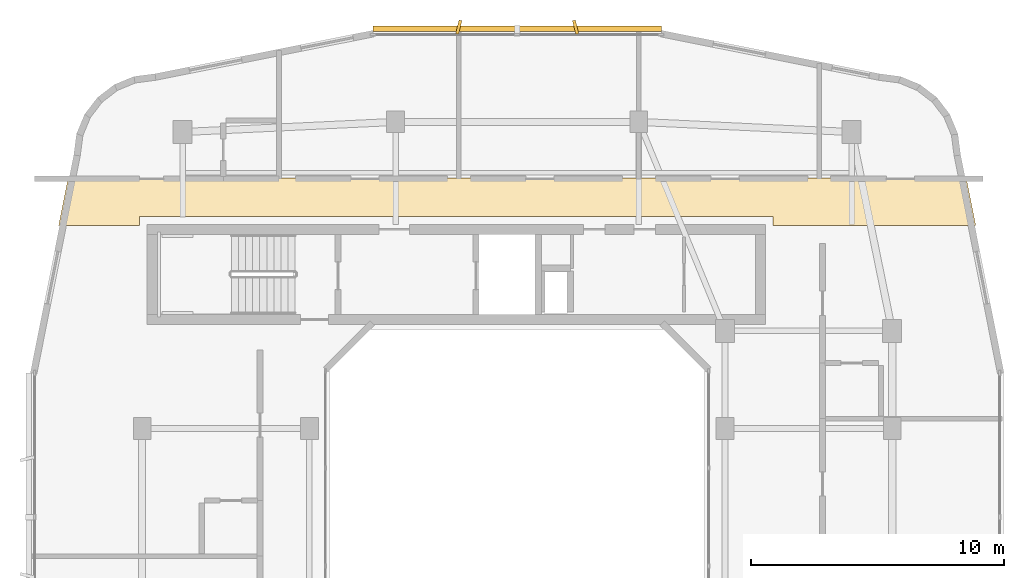
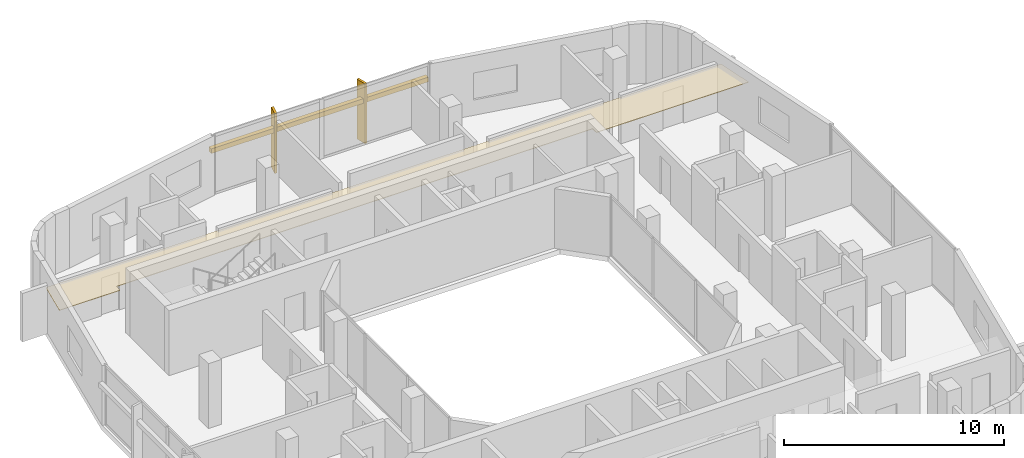
# One storey, part 14 of 14: 3 shading devices, 1 covering.
"""IFC4 building model written with IfcOpenShell, lengths in metres."""

from ifc_helpers import new_model, si_unit, derived_unit, direction, frame, origin, origin_2d, place, context, subcontext, project, spatial, polyline, rectangle, outline, extrude, material, layer, layer_set, type_object, element, save


model = new_model("IFC4")

# Units and contexts
model_context = context("Model", 3, precision=1e-05, world=origin(), true_north=direction((0.0, 1.0)))
body_context = subcontext(model_context, "Body", "Model", "MODEL_VIEW")
ifc_project = project(units=[si_unit("LENGTHUNIT", "METRE"), si_unit("AREAUNIT", "SQUARE_METRE"), si_unit("VOLUMEUNIT", "CUBIC_METRE"), si_unit("PLANEANGLEUNIT", "RADIAN"), si_unit("MASSUNIT", "GRAM", prefix="KILO"), derived_unit("THERMALTRANSMITTANCEUNIT", [(si_unit("POWERUNIT", "WATT"), 1), (si_unit("LENGTHUNIT", "METRE"), -2), (si_unit("THERMODYNAMICTEMPERATUREUNIT", "KELVIN"), -1)])], contexts=[model_context])

# Site, building, storey
site_placement = place(None, origin())
site = spatial("IfcSite", under=ifc_project, at=site_placement, CompositionType="ELEMENT")
building_placement = place(site_placement, origin())
building = spatial("IfcBuilding", under=site, at=building_placement, Name="Kivonza Crest Hotel", CompositionType="ELEMENT")
storey_placement = place(building_placement, frame((0.0, 0.0, 209.89990234375)))
storey = spatial("IfcBuildingStorey", under=building, at=storey_placement, Name="L57", CompositionType="ELEMENT", Elevation=209.89990234375)

# Covering
ifc_material_1 = material(Name="Moisture-resistant gypsum plasterboard ceiling", Category="gypsum")
ifc_layer = layer(ifc_material_1, 0.030029296875)
ifc_layer_set = layer_set([ifc_layer], Name="Moisture-resistant gypsum plasterboard ceiling")
covering_type = type_object("IfcCoveringType", Name="CV-CEIL-GYP", PredefinedType="CEILING", material=ifc_layer_set)
covering_placement = place(storey_placement, frame((0.0, 0.0, 2.4501953125)))
element("IfcCovering", 1, at=covering_placement, inside=storey, type_object=covering_type, Name="L57 Hotel North Guest Corridor suspended ceiling", PredefinedType="CEILING", context=body_context, shape_type="SweptSolid", body=[
    extrude(outline(polyline([(3.278076171875, 38.389892578125), (2.906005859375, 36.52001953125), (6.10009765625, 36.52001953125), (6.10009765625, 36.860107421875), (31.10009765625, 36.860107421875), (31.10009765625, 36.52001953125), (39.093994140625, 36.52001953125), (38.721923828125, 38.389892578125), (3.278076171875, 38.389892578125)])), origin(), (0.0, 0.0, 1.0), 0.02978515625),
])

# Shading devices
ifc_material_2 = material(Name="Kiln-fired Nairobi red-ochre terracotta", Category="masonry")
shading_device_type_1 = type_object("IfcShadingDeviceType", Name="SH-BAGUETTE-300", PredefinedType="USERDEFINED", material=ifc_material_2)
shading_device_placement = place(storey_placement, frame((21.0, 44.280029296875, 2.1943359375), z_axis=(0.0, 0.0, 1.0), x_axis=(-1.0, 0.0, 0.0)))
element("IfcShadingDevice", 2, at=shading_device_placement, inside=storey, type_object=shading_device_type_1, Name="L57 terracotta baguette screen CW-T1-L57-26", ObjectType="BAGUETTE", PredefinedType="USERDEFINED", context=body_context, shape_type="SweptSolid", body=[
    extrude(rectangle(XDim=11.39990234375, YDim=0.219970703125, at=origin_2d()), origin(), (0.0, 0.0, 1.0), 0.260009765625),
])
ifc_material_3 = material(Name="Kiln-fired terracotta over extruded aluminium spine", Category="masonry")
shading_device_type_2 = type_object("IfcShadingDeviceType", Name="SH-FIN-550", PredefinedType="USERDEFINED", material=ifc_material_3)
for number, where, z_axis, x_axis, name in (
    (3, (23.303955078125, 44.340087890625, 0.0), (0.0, 0.0, 1.0), (-0.970295726276, -0.2419218956, 0.0), "L57 vertical solar shading fin CW-T1-L57-26-1"),
    (4, (18.696044921875, 44.340087890625, 0.0), (0.0, 0.0, 1.0), (-0.970295726276, 0.2419218956, 0.0), "L57 vertical solar shading fin CW-T1-L57-26-2"),
):
    element("IfcShadingDevice", number, at=place(storey_placement, frame(where, z_axis=z_axis, x_axis=x_axis)), inside=storey, type_object=shading_device_type_2, Name=name, ObjectType="FIN", PredefinedType="USERDEFINED", context=body_context, shape_type="SweptSolid", body=[
        extrude(rectangle(XDim=0.1201171875, YDim=0.550048828125, at=origin_2d()), origin(), (0.0, 0.0, 1.0), 3.320068359375),
    ])

save(model, "model.ifc")
